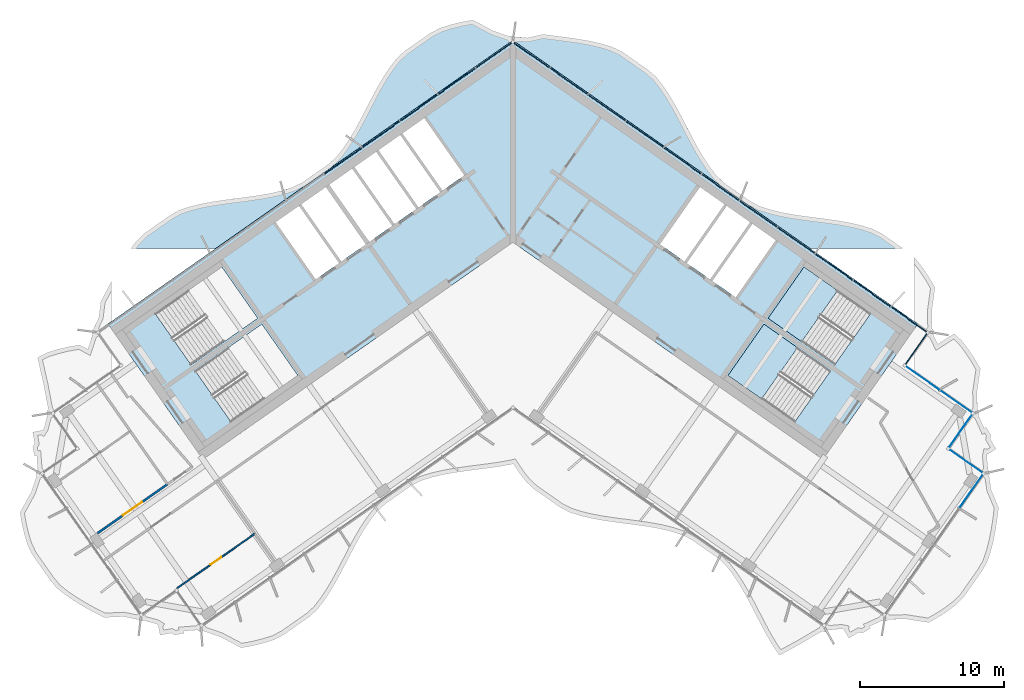
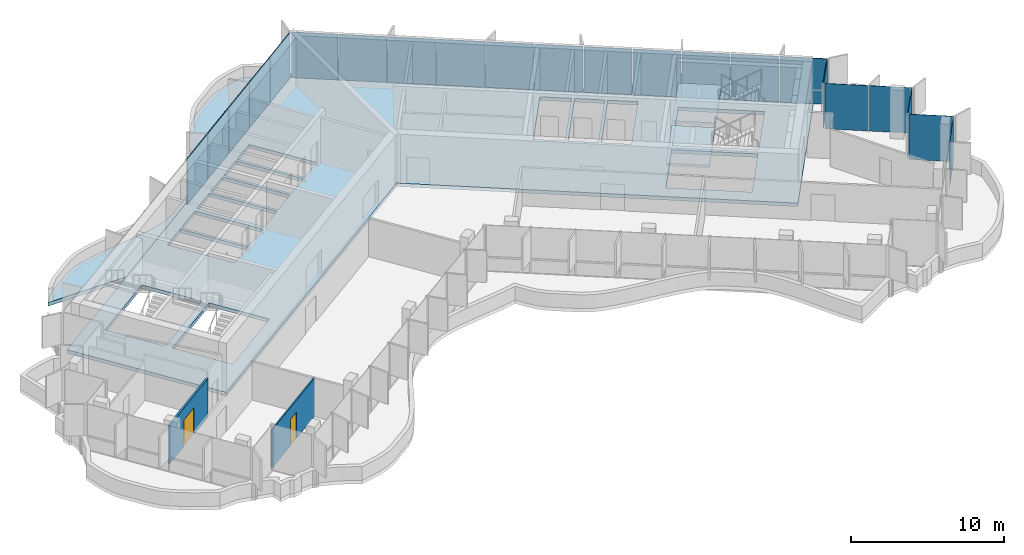
# One storey, part 10 of 19: 22 plates, 4 slabs, 2 doors, 2 walls, 2 openings, 4 elements without a shape of their own.
"""IFC4 building model written with IfcOpenShell, lengths in metres."""

from ifc_helpers import new_model, si_unit, direction, frame, frame_2d, origin, origin_2d, place, context, subcontext, project, spatial, polyline, rectangle, outline, extrude, material, layer, layer_set, type_object, element, fill, aggregate, save


model = new_model("IFC4")

# Units and contexts
model_context = context("Model", 3, precision=1e-05, world=origin(), true_north=direction((0.0, 1.0)))
body_context = subcontext(model_context, "Body", "Model", "MODEL_VIEW")
ifc_project = project(units=[si_unit("LENGTHUNIT", "METRE"), si_unit("AREAUNIT", "SQUARE_METRE"), si_unit("VOLUMEUNIT", "CUBIC_METRE"), si_unit("PLANEANGLEUNIT", "RADIAN"), si_unit("MASSUNIT", "GRAM", prefix="KILO")], contexts=[model_context])

# Site, building, storey
site_placement = place(None, origin())
site = spatial("IfcSite", under=ifc_project, at=site_placement, CompositionType="ELEMENT")
building_placement = place(site_placement, origin())
building = spatial("IfcBuilding", under=site, at=building_placement, Name="Tel Ilan Convention Tower", CompositionType="ELEMENT")
storey_placement = place(building_placement, frame((0.0, 0.0, 241.0)))
storey = spatial("IfcBuildingStorey", under=building, at=storey_placement, Name="L56", CompositionType="ELEMENT", Elevation=241.0)

# Curtain wall, plates
ifc_material_1 = material(Name="Aluminium, bronze anodised", Category="aluminium")
curtain_wall_type_1 = type_object("IfcCurtainWallType", Name="CW2 STICK CURTAIN WALL, SPANDREL PANELS", PredefinedType="NOTDEFINED", material=ifc_material_1)
curtain_wall_1_placement = place(storey_placement, origin())
curtain_wall_1 = element("IfcCurtainWall", 1, at=curtain_wall_1_placement, inside=storey, type_object=curtain_wall_type_1, Name="Curtain wall CW2-43.01", PredefinedType="NOTDEFINED")
ifc_material_2 = material(Name="Aluminium composite panel, bronze anodised", Category="aluminium")
ifc_layer_1 = layer(ifc_material_2, 0.06005859375)
ifc_layer_set_1 = layer_set([ifc_layer_1], Name="CW SPANDREL PANEL 60")
plate_type_1 = type_object("IfcPlateType", Name="CW SPANDREL PANEL 60", PredefinedType="CURTAIN_PANEL", material=ifc_layer_set_1)
plate_1_placement = place(storey_placement, frame((28.033935546875, -8.60546875, 0.0), z_axis=(0.0, 0.0, 1.0), x_axis=(0.573576436351, 0.819152044289, 0.0)))
plate_1 = element("IfcPlate", 2, at=plate_1_placement, type_object=plate_type_1, Name="Spandrel panel", PredefinedType="CURTAIN_PANEL", context=body_context, shape_type="SweptSolid", body=[
    extrude(rectangle(XDim=2.658935546875, YDim=0.06005859375, at=origin_2d()), origin(), (0.0, 0.0, 1.0), 3.6201171875),
])
plate_2_placement = place(storey_placement, frame((27.5400390625, -6.587646484375, 0.0), z_axis=(0.0, 0.0, 1.0), x_axis=(-0.819152044289, 0.573576436351, 0.0)))
plate_2 = element("IfcPlate", 3, at=plate_2_placement, type_object=plate_type_1, Name="Spandrel panel", PredefinedType="CURTAIN_PANEL", context=body_context, shape_type="SweptSolid", body=[
    extrude(rectangle(XDim=3.0439453125, YDim=0.06005859375, at=origin_2d()), origin(), (0.0, 0.0, 1.0), 3.6201171875),
])
plate_3_placement = place(storey_placement, frame((24.95263671875, -4.77587890625, 0.0), z_axis=(0.0, 0.0, 1.0), x_axis=(-0.819152044289, 0.573576436351, 0.0)))
plate_3 = element("IfcPlate", 4, at=plate_3_placement, type_object=plate_type_1, Name="Spandrel panel", PredefinedType="CURTAIN_PANEL", context=body_context, shape_type="SweptSolid", body=[
    extrude(rectangle(XDim=3.15380859375, YDim=0.06005859375, at=origin_2d()), origin(), (0.0, 0.0, 1.0), 3.6201171875),
])
plate_4_placement = place(storey_placement, frame((22.31982421875, -2.9326171875, 0.0), z_axis=(0.0, 0.0, 1.0), x_axis=(-0.819152044289, 0.573576436351, 0.0)))
plate_4 = element("IfcPlate", 5, at=plate_4_placement, type_object=plate_type_1, Name="Spandrel panel", PredefinedType="CURTAIN_PANEL", context=body_context, shape_type="SweptSolid", body=[
    extrude(rectangle(XDim=3.15380859375, YDim=0.06005859375, at=origin_2d()), origin(), (0.0, 0.0, 1.0), 3.6201171875),
])
plate_5_placement = place(storey_placement, frame((19.687255859375, -1.089111328125, 0.0), z_axis=(0.0, 0.0, 1.0), x_axis=(-0.819152044289, 0.573576436351, 0.0)))
plate_5 = element("IfcPlate", 6, at=plate_5_placement, type_object=plate_type_1, Name="Spandrel panel", PredefinedType="CURTAIN_PANEL", context=body_context, shape_type="SweptSolid", body=[
    extrude(rectangle(XDim=3.15380859375, YDim=0.06005859375, at=origin_2d()), origin(), (0.0, 0.0, 1.0), 3.6201171875),
])
plate_6_placement = place(storey_placement, frame((17.0546875, 0.754150390625, 0.0), z_axis=(0.0, 0.0, 1.0), x_axis=(-0.819152044289, 0.573576436351, 0.0)))
plate_6 = element("IfcPlate", 7, at=plate_6_placement, type_object=plate_type_1, Name="Spandrel panel", PredefinedType="CURTAIN_PANEL", context=body_context, shape_type="SweptSolid", body=[
    extrude(rectangle(XDim=3.15380859375, YDim=0.06005859375, at=origin_2d()), origin(), (0.0, 0.0, 1.0), 3.6201171875),
])
plate_7_placement = place(storey_placement, frame((14.422119140625, 2.59765625, 0.0), z_axis=(0.0, 0.0, 1.0), x_axis=(-0.819152044289, 0.573576436351, 0.0)))
plate_7 = element("IfcPlate", 8, at=plate_7_placement, type_object=plate_type_1, Name="Spandrel panel", PredefinedType="CURTAIN_PANEL", context=body_context, shape_type="SweptSolid", body=[
    extrude(rectangle(XDim=3.15380859375, YDim=0.06005859375, at=origin_2d()), origin(), (0.0, 0.0, 1.0), 3.6201171875),
])
plate_8_placement = place(storey_placement, frame((11.789306640625, 4.44091796875, 0.0), z_axis=(0.0, 0.0, 1.0), x_axis=(-0.819152044289, 0.573576436351, 0.0)))
plate_8 = element("IfcPlate", 9, at=plate_8_placement, type_object=plate_type_1, Name="Spandrel panel", PredefinedType="CURTAIN_PANEL", context=body_context, shape_type="SweptSolid", body=[
    extrude(rectangle(XDim=3.15380859375, YDim=0.06005859375, at=origin_2d()), origin(), (0.0, 0.0, 1.0), 3.6201171875),
])
plate_9_placement = place(storey_placement, frame((9.15673828125, 6.284423828125, 0.0), z_axis=(0.0, 0.0, 1.0), x_axis=(-0.819152044289, 0.573576436351, 0.0)))
plate_9 = element("IfcPlate", 10, at=plate_9_placement, type_object=plate_type_1, Name="Spandrel panel", PredefinedType="CURTAIN_PANEL", context=body_context, shape_type="SweptSolid", body=[
    extrude(rectangle(XDim=3.15380859375, YDim=0.06005859375, at=origin_2d()), origin(), (0.0, 0.0, 1.0), 3.6201171875),
])
plate_10_placement = place(storey_placement, frame((6.524169921875, 8.127685546875, 0.0), z_axis=(0.0, 0.0, 1.0), x_axis=(-0.819152044289, 0.573576436351, 0.0)))
plate_10 = element("IfcPlate", 11, at=plate_10_placement, type_object=plate_type_1, Name="Spandrel panel", PredefinedType="CURTAIN_PANEL", context=body_context, shape_type="SweptSolid", body=[
    extrude(rectangle(XDim=3.15380859375, YDim=0.06005859375, at=origin_2d()), origin(), (0.0, 0.0, 1.0), 3.6201171875),
])
plate_11_placement = place(storey_placement, frame((3.8916015625, 9.97119140625, 0.0), z_axis=(0.0, 0.0, 1.0), x_axis=(-0.819152044289, 0.573576436351, 0.0)))
plate_11 = element("IfcPlate", 12, at=plate_11_placement, type_object=plate_type_1, Name="Spandrel panel", PredefinedType="CURTAIN_PANEL", context=body_context, shape_type="SweptSolid", body=[
    extrude(rectangle(XDim=3.15380859375, YDim=0.06005859375, at=origin_2d()), origin(), (0.0, 0.0, 1.0), 3.6201171875),
])
plate_12_placement = place(storey_placement, frame((1.303955078125, 11.782958984375, 0.0), z_axis=(0.0, 0.0, 1.0), x_axis=(-0.819152044289, 0.573576436351, 0.0)))
plate_12 = element("IfcPlate", 13, at=plate_12_placement, type_object=plate_type_1, Name="Spandrel panel", PredefinedType="CURTAIN_PANEL", context=body_context, shape_type="SweptSolid", body=[
    extrude(rectangle(XDim=3.0439453125, YDim=0.06005859375, at=origin_2d()), origin(), (0.0, 0.0, 1.0), 3.6201171875),
])
plate_13_placement = place(storey_placement, frame((-1.303955078125, 11.782958984375, 0.0), z_axis=(0.0, 0.0, 1.0), x_axis=(-0.819152044289, -0.573576436351, 0.0)))
plate_13 = element("IfcPlate", 14, at=plate_13_placement, type_object=plate_type_1, Name="Spandrel panel", PredefinedType="CURTAIN_PANEL", context=body_context, shape_type="SweptSolid", body=[
    extrude(rectangle(XDim=3.0439453125, YDim=0.06005859375, at=origin_2d()), origin(), (0.0, 0.0, 1.0), 3.6201171875),
])
plate_14_placement = place(storey_placement, frame((-3.8916015625, 9.97119140625, 0.0), z_axis=(0.0, 0.0, 1.0), x_axis=(-0.819152044289, -0.573576436351, 0.0)))
plate_14 = element("IfcPlate", 15, at=plate_14_placement, type_object=plate_type_1, Name="Spandrel panel", PredefinedType="CURTAIN_PANEL", context=body_context, shape_type="SweptSolid", body=[
    extrude(rectangle(XDim=3.15380859375, YDim=0.06005859375, at=origin_2d()), origin(), (0.0, 0.0, 1.0), 3.6201171875),
])
plate_15_placement = place(storey_placement, frame((-6.524169921875, 8.127685546875, 0.0), z_axis=(0.0, 0.0, 1.0), x_axis=(-0.819152044289, -0.573576436351, 0.0)))
plate_15 = element("IfcPlate", 16, at=plate_15_placement, type_object=plate_type_1, Name="Spandrel panel", PredefinedType="CURTAIN_PANEL", context=body_context, shape_type="SweptSolid", body=[
    extrude(rectangle(XDim=3.15380859375, YDim=0.06005859375, at=origin_2d()), origin(), (0.0, 0.0, 1.0), 3.6201171875),
])
plate_16_placement = place(storey_placement, frame((-9.15673828125, 6.284423828125, 0.0), z_axis=(0.0, 0.0, 1.0), x_axis=(-0.819152044289, -0.573576436351, 0.0)))
plate_16 = element("IfcPlate", 17, at=plate_16_placement, type_object=plate_type_1, Name="Spandrel panel", PredefinedType="CURTAIN_PANEL", context=body_context, shape_type="SweptSolid", body=[
    extrude(rectangle(XDim=3.15380859375, YDim=0.06005859375, at=origin_2d()), origin(), (0.0, 0.0, 1.0), 3.6201171875),
])
plate_17_placement = place(storey_placement, frame((-11.789306640625, 4.44091796875, 0.0), z_axis=(0.0, 0.0, 1.0), x_axis=(-0.819152044289, -0.573576436351, 0.0)))
plate_17 = element("IfcPlate", 18, at=plate_17_placement, type_object=plate_type_1, Name="Spandrel panel", PredefinedType="CURTAIN_PANEL", context=body_context, shape_type="SweptSolid", body=[
    extrude(rectangle(XDim=3.15380859375, YDim=0.06005859375, at=origin_2d()), origin(), (0.0, 0.0, 1.0), 3.6201171875),
])
aggregate(curtain_wall_1, [plate_1, plate_2, plate_3, plate_4, plate_5, plate_6, plate_7, plate_8, plate_9, plate_10, plate_11, plate_12, plate_13, plate_14, plate_15, plate_16, plate_17])

ifc_material_3 = material(Name="Aluminium, bronze anodised", Category="aluminium")
curtain_wall_type_2 = type_object("IfcCurtainWallType", Name="CW5 STICK CURTAIN WALL, UPPER OFFICE LOW-IRON TINTED GLASS", PredefinedType="NOTDEFINED", material=ifc_material_3)
curtain_wall_2_placement = place(storey_placement, origin())
curtain_wall_2 = element("IfcCurtainWall", 19, at=curtain_wall_2_placement, inside=storey, type_object=curtain_wall_type_2, Name="Curtain wall CW5-43.02", PredefinedType="NOTDEFINED")
ifc_material_4 = material(Name="Glass, low-iron bronze tinted, two-ply", Category="glass")
ifc_layer_2 = layer(ifc_material_4, 0.031982421875)
ifc_layer_set_2 = layer_set([ifc_layer_2], Name="CW UPPER GLASS PANEL 32")
plate_type_2 = type_object("IfcPlateType", Name="CW UPPER GLASS PANEL 32", PredefinedType="CURTAIN_PANEL", material=ifc_layer_set_2)
plate_18_placement = place(storey_placement, frame((31.85693359375, -18.488037109375, 0.0), z_axis=(0.0, 0.0, 1.0), x_axis=(0.573576436351, 0.819152044289, 0.0)))
plate_18 = element("IfcPlate", 20, at=plate_18_placement, type_object=plate_type_2, Name="Glass panel", PredefinedType="CURTAIN_PANEL", context=body_context, shape_type="SweptSolid", body=[
    extrude(rectangle(XDim=2.89599609375, YDim=0.028076171875, at=origin_2d()), origin(), (0.0, 0.0, 1.0), 3.6201171875),
])
plate_19_placement = place(storey_placement, frame((31.504150390625, -16.44384765625, 0.0), z_axis=(0.0, 0.0, 1.0), x_axis=(-0.819152044289, 0.573576436351, 0.0)))
plate_19 = element("IfcPlate", 21, at=plate_19_placement, type_object=plate_type_2, Name="Glass panel", PredefinedType="CURTAIN_PANEL", context=body_context, shape_type="SweptSolid", body=[
    extrude(rectangle(XDim=2.875, YDim=0.028076171875, at=origin_2d()), origin(), (0.0, 0.0, 1.0), 3.6201171875),
])
plate_20_placement = place(storey_placement, frame((31.126220703125, -14.30126953125, 0.0), z_axis=(0.0, 0.0, 1.0), x_axis=(0.573576436351, 0.819152044289, 0.0)))
plate_20 = element("IfcPlate", 22, at=plate_20_placement, type_object=plate_type_2, Name="Glass panel", PredefinedType="CURTAIN_PANEL", context=body_context, shape_type="SweptSolid", body=[
    extrude(rectangle(XDim=2.875, YDim=0.028076171875, at=origin_2d()), origin(), (0.0, 0.0, 1.0), 3.6201171875),
])
plate_21_placement = place(storey_placement, frame((30.8203125, -12.302734375, 0.0), z_axis=(0.0, 0.0, 1.0), x_axis=(-0.819152044289, 0.573576436351, 0.0)))
plate_21 = element("IfcPlate", 23, at=plate_21_placement, type_object=plate_type_2, Name="Glass panel", PredefinedType="CURTAIN_PANEL", context=body_context, shape_type="SweptSolid", body=[
    extrude(rectangle(XDim=2.74609375, YDim=0.028076171875, at=origin_2d()), origin(), (0.0, 0.0, 1.0), 3.6201171875),
])
plate_22_placement = place(storey_placement, frame((28.471435546875, -10.657958984375, 0.0), z_axis=(0.0, 0.0, 1.0), x_axis=(-0.819152044289, 0.573576436351, 0.0)))
plate_22 = element("IfcPlate", 24, at=plate_22_placement, type_object=plate_type_2, Name="Glass panel", PredefinedType="CURTAIN_PANEL", context=body_context, shape_type="SweptSolid", body=[
    extrude(rectangle(XDim=2.868896484375, YDim=0.028076171875, at=origin_2d()), origin(), (0.0, 0.0, 1.0), 3.6201171875),
])
aggregate(curtain_wall_2, [plate_18, plate_19, plate_20, plate_21, plate_22])

# Stair, slab
ifc_material_5 = material(Name="Concrete C40/50", Category="concrete")
stair_type = type_object("IfcStairType", Name="Pressurised Exit Stair 22 risers 177 mm", PredefinedType="HALF_TURN_STAIR", material=ifc_material_5)
stair_1_placement = place(storey_placement, origin())
stair_1 = element("IfcStair", 25, at=stair_1_placement, inside=storey, type_object=stair_type, Name="L56 Pressurised Stair S3", PredefinedType="HALF_TURN_STAIR")
ifc_material_6 = material(Name="Concrete C40/50", Category="concrete")
ifc_layer_3 = layer(ifc_material_6, 0.199951171875)
ifc_layer_set_3 = layer_set([ifc_layer_3], Name="Concrete Stair Landing 200 mm C40/50")
slab_type_1 = type_object("IfcSlabType", Name="Concrete Stair Landing 200 mm", PredefinedType="LANDING", material=ifc_layer_set_3)
slab_1_placement = place(storey_placement, frame((0.0, 0.0, 1.75)))
slab_1 = element("IfcSlab", 26, at=slab_1_placement, type_object=slab_type_1, Name="S3 landing 1", PredefinedType="LANDING", context=body_context, shape_type="SweptSolid", body=[
    extrude(outline(polyline([(22.561767578125, -4.566650390625), (20.226318359375, -2.931640625), (17.7314453125, -6.494873046875), (20.066650390625, -8.130126953125), (22.561767578125, -4.566650390625)])), origin(), (0.0, 0.0, 1.0), 0.199951171875),
])
aggregate(stair_1, [slab_1])

stair_2_placement = place(storey_placement, origin())
stair_2 = element("IfcStair", 27, at=stair_2_placement, inside=storey, type_object=stair_type, Name="L56 Pressurised Stair S4", PredefinedType="HALF_TURN_STAIR")
slab_2_placement = place(storey_placement, frame((0.0, 0.0, 1.75)))
slab_2 = element("IfcSlab", 28, at=slab_2_placement, type_object=slab_type_1, Name="S4 landing 1", PredefinedType="LANDING", context=body_context, shape_type="SweptSolid", body=[
    extrude(outline(polyline([(19.77978515625, -8.53955078125), (17.444580078125, -6.904541015625), (14.949462890625, -10.4677734375), (17.28466796875, -12.10302734375), (19.77978515625, -8.53955078125)])), origin(), (0.0, 0.0, 1.0), 0.199951171875),
])
aggregate(stair_2, [slab_2])

# Slabs
ifc_material_7 = material(Name="Concrete C40/50", Category="concrete")
ifc_layer_4 = layer(ifc_material_7, 0.280029296875)
ifc_layer_set_4 = layer_set([ifc_layer_4], Name="Core Floor Slab 280 mm C40/50")
slab_type_2 = type_object("IfcSlabType", Name="Core Floor Slab 280 mm C40/50", PredefinedType="FLOOR", material=ifc_layer_set_4)
slab_3_placement = place(storey_placement, frame((0.0, 0.0, -0.280029296875)))
element("IfcSlab", 29, at=slab_3_placement, inside=storey, type_object=slab_type_2, Name="L56 core floor 1", PredefinedType="FLOOR", context=body_context, shape_type="SweptSolid", body=[
    extrude(outline(polyline([(-28.1396484375, -6.885498046875), (0.0, 12.818115234375), (28.1396484375, -6.885498046875), (21.54345703125, -16.3056640625), (0.0, -1.220703125), (-21.54345703125, -16.3056640625), (-28.1396484375, -6.885498046875)]), holes=[polyline([(-17.444580078125, -6.904541015625), (-22.072021484375, -10.144775390625), (-19.5771484375, -13.7080078125), (-14.949462890625, -10.4677734375), (-17.444580078125, -6.904541015625)]), polyline([(-17.7314453125, -6.494873046875), (-20.226318359375, -2.931640625), (-24.85400390625, -6.171875), (-22.35888671875, -9.735107421875), (-17.7314453125, -6.494873046875)]), polyline([(-14.864990234375, 1.310791015625), (-16.48291015625, 0.177978515625), (-13.701171875, -3.794921875), (-12.083251953125, -2.662109375), (-14.864990234375, 1.310791015625)]), polyline([(-14.701416015625, 1.425537109375), (-11.91943359375, -2.54736328125), (-10.2197265625, -1.357421875), (-13.001708984375, 2.615478515625), (-14.701416015625, 1.425537109375)]), polyline([(-11.168701171875, 3.89892578125), (-12.755859375, 2.78759765625), (-9.97412109375, -1.185302734375), (-8.386962890625, -0.073974609375), (-11.168701171875, 3.89892578125)]), polyline([(-9.499755859375, 5.067626953125), (-11.0048828125, 4.013671875), (-8.222900390625, 0.040771484375), (-6.718017578125, 1.0947265625), (-9.499755859375, 5.067626953125)]), polyline([(-9.3359375, 5.182373046875), (-6.553955078125, 1.20947265625), (-5.048828125, 2.263427734375), (-7.830810546875, 6.236328125), (-9.3359375, 5.182373046875)]), polyline([(17.444580078125, -6.904541015625), (14.949462890625, -10.4677734375), (19.5771484375, -13.7080078125), (22.072021484375, -10.144775390625), (17.444580078125, -6.904541015625)]), polyline([(20.226318359375, -2.931640625), (17.7314453125, -6.494873046875), (22.35888671875, -9.735107421875), (24.85400390625, -6.171875), (20.226318359375, -2.931640625)]), polyline([(15.48291015625, -5.04248046875), (18.2646484375, -1.069580078125), (16.646728515625, 0.063232421875), (13.864990234375, -3.90966796875), (15.48291015625, -5.04248046875)]), polyline([(13.701171875, -3.794921875), (16.48291015625, 0.177978515625), (14.864990234375, 1.310791015625), (12.083251953125, -2.662109375), (13.701171875, -3.794921875)]), polyline([(11.91943359375, -2.54736328125), (14.701416015625, 1.425537109375), (13.001708984375, 2.615478515625), (10.2197265625, -1.357421875), (11.91943359375, -2.54736328125)]), polyline([(-6.16162109375, 7.405029296875), (-7.666748046875, 6.35107421875), (-4.885009765625, 2.378173828125), (-3.3798828125, 3.43212890625), (-6.16162109375, 7.405029296875)])]), origin(), (0.0, 0.0, 1.0), 0.280029296875),
])
ifc_material_8 = material(Name="Concrete C40/50", Category="concrete")
ifc_layer_5 = layer(ifc_material_8, 0.280029296875)
ifc_layer_set_5 = layer_set([ifc_layer_5], Name="Edge Ledge Slab 280 mm C40/50")
slab_type_3 = type_object("IfcSlabType", Name="Edge Ledge Slab 280 mm C40/50", PredefinedType="FLOOR", material=ifc_layer_set_5)
slab_4_placement = place(storey_placement, frame((0.0, 0.0, -0.280029296875)))
element("IfcSlab", 30, at=slab_4_placement, inside=storey, type_object=slab_type_3, Name="L56 edge ledge 2", PredefinedType="FLOOR", context=body_context, shape_type="SweptSolid", body=[
    extrude(outline(polyline([(-23.1982421875, 1.006591796875), (-22.4697265625, 1.250244140625), (-21.705322265625, 1.44287109375), (-20.91259765625, 1.594482421875), (-20.099365234375, 1.71728515625), (-19.275146484375, 1.824462890625), (-18.44970703125, 1.9296875), (-17.6328125, 2.047119140625), (-16.833984375, 2.18994140625), (-16.0615234375, 2.37109375), (-15.3232421875, 2.6005859375), (-14.651611328125, 2.92529296875), (-12.841552734375, 4.192626953125), (-12.284912109375, 4.681640625), (-11.809326171875, 5.28662109375), (-11.369140625, 5.94189453125), (-10.956787109375, 6.63720703125), (-10.564453125, 7.36083984375), (-10.182373046875, 8.09912109375), (-9.80078125, 8.83837890625), (-9.410400390625, 9.564697265625), (-9.001220703125, 10.264404296875), (-8.56494140625, 10.925537109375), (-8.094482421875, 11.53759765625), (-7.552001953125, 12.047119140625), (-5.7421875, 13.314208984375), (-5.0849609375, 13.66015625), (-4.3515625, 13.896484375), (-3.5830078125, 14.083251953125), (-2.785888671875, 14.228515625), (-1.357666015625, 13.472900390625), (-0.172119140625, 13.06396484375), (-0.168701171875, 13.05908203125), (-0.11474609375, 13.09521484375), (0.0, 13.1181640625), (0.11474609375, 13.09521484375), (0.168701171875, 13.05908203125), (0.172119140625, 13.06396484375), (1.02001953125, 12.99072265625), (2.08935546875, 13.234130859375), (2.913818359375, 13.12744140625), (3.739501953125, 13.0224609375), (4.55712890625, 12.90625), (5.357666015625, 12.765380859375), (6.132080078125, 12.587158203125), (6.872802734375, 12.361083984375), (7.552001953125, 12.047119140625), (9.36181640625, 10.77978515625), (9.925537109375, 10.300537109375), (10.403564453125, 9.69921875), (10.845947265625, 9.046875), (11.259521484375, 8.353515625), (11.653076171875, 7.631591796875), (12.035400390625, 6.893798828125), (12.416748046875, 6.154052734375), (12.806396484375, 5.426513671875), (13.214111328125, 4.724609375), (13.648193359375, 4.060791015625), (14.116455078125, 3.4453125), (14.651611328125, 2.92529296875), (15.2548828125, 2.502685546875), (16.46142578125, 1.657958984375), (17.111328125, 1.30224609375), (17.84228515625, 1.062255859375), (18.60888671875, 0.87255859375), (19.4033203125, 0.72314453125), (20.21728515625, 0.601806640625), (21.0419921875, 0.495361328125), (21.8671875, 0.3896484375), (22.68310546875, 0.27099609375), (23.480712890625, 0.1259765625), (24.2509765625, -0.057861328125), (24.987060546875, -0.290771484375), (25.6513671875, -0.626220703125), (27.087158203125, -1.631591796875), (20.63623046875, -1.631591796875), (0.0, 12.818115234375), (-20.63623046875, -1.631591796875), (-26.535888671875, -1.631591796875), (-26.1787109375, -1.156982421875), (-25.6513671875, -0.626220703125), (-23.84130859375, 0.64111328125), (-23.1982421875, 1.006591796875)])), origin(), (0.0, 0.0, 1.0), 0.280029296875),
])

# Wall, opening, door
ifc_material_9 = material(Name="Plasterboard on Steel Studs", Category="steel")
ifc_layer_6 = layer(ifc_material_9, 0.14990234375)
ifc_layer_set_6 = layer_set([ifc_layer_6], Name="Fire-rated Partition 150 EI 60")
wall_type_1 = type_object("IfcWallType", Name="Fire-rated Partition 150 EI 60", PredefinedType="PARTITIONING", material=ifc_layer_set_6)
wall_1_placement = place(storey_placement, frame((-28.858154296875, -21.428466796875, 0.0), z_axis=(0.0, 0.0, 1.0), x_axis=(0.819137166599, 0.573597683308, 0.0)))
wall_1 = element("IfcWall", 31, at=wall_1_placement, inside=storey, type_object=wall_type_1, Name="Partition 004", PredefinedType="PARTITIONING", context=body_context, shape_type="SweptSolid", body=[
    extrude(rectangle(XDim=5.93212890625, YDim=0.14990234375, at=frame_2d((2.966064453125, 0.0))), origin(), (0.0, 0.0, 1.0), 3.050048828125),
])
opening_1_placement = place(wall_1_placement, frame((2.166015625, 0.0, 0.0)))
opening_1 = element("IfcOpeningElement", 32, at=opening_1_placement, cuts=wall_1, Name="Opening L56-005", PredefinedType="OPENING", context=body_context, shape_type="SweptSolid", body=[
    extrude(rectangle(XDim=1.60009765625, YDim=2.10009765625, at=frame_2d((0.800048828125, 1.050048828125))), frame((0.0, 0.0849609375, 0.0), z_axis=(0.0, -1.0, 0.0), x_axis=(1.0, 0.0, 0.0)), (0.0, 0.0, 1.0), 0.169921875),
])
ifc_material_10 = material(Name="Timber Door Leaf in Steel Frame", Category="steel")
door_type_1 = type_object("IfcDoorType", Name="Tenant Suite Entrance Fire Door 1600x2100", OperationType="NOTDEFINED", PredefinedType="DOOR", material=ifc_material_10)
door_1_placement = place(opening_1_placement, origin())
door_1 = element("IfcDoor", 33, at=door_1_placement, inside=storey, type_object=door_type_1, Name="Door L56-005", OperationType="DOUBLE_DOOR_SINGLE_SWING", OverallHeight=2.10009765625, OverallWidth=1.60009765625, PredefinedType="DOOR", context=body_context, shape_type="SweptSolid", body=[
    extrude(rectangle(XDim=1.60009765625, YDim=2.10009765625, at=frame_2d((0.800048828125, 1.050048828125))), frame((0.0, 0.02490234375, 0.0), z_axis=(0.0, -1.0, 0.0), x_axis=(1.0, 0.0, 0.0)), (0.0, 0.0, 1.0), 0.050048828125),
])
fill(opening_1, door_1)

ifc_material_11 = material(Name="Plasterboard on Steel Studs", Category="steel")
ifc_layer_7 = layer(ifc_material_11, 0.10009765625)
ifc_layer_set_7 = layer_set([ifc_layer_7], Name="Plasterboard Partition 100")
wall_type_2 = type_object("IfcWallType", Name="Plasterboard Partition 100", PredefinedType="PARTITIONING", material=ifc_layer_set_7)
wall_2_placement = place(storey_placement, frame((-17.929443359375, -21.46728515625, 0.0), z_axis=(0.0, 0.0, 1.0), x_axis=(-0.819158922237, -0.573566613498, 0.0)))
wall_2 = element("IfcWall", 34, at=wall_2_placement, inside=storey, type_object=wall_type_2, Name="Partition 021", PredefinedType="PARTITIONING", context=body_context, shape_type="SweptSolid", body=[
    extrude(rectangle(XDim=6.599853515625, YDim=0.10009765625, at=frame_2d((3.2998046875, 0.0))), origin(), (0.0, 0.0, 1.0), 3.050048828125),
])
opening_2_placement = place(wall_2_placement, frame((2.85009765625, 0.0, 0.0)))
opening_2 = element("IfcOpeningElement", 35, at=opening_2_placement, cuts=wall_2, Name="Opening L56-003", PredefinedType="OPENING", context=body_context, shape_type="SweptSolid", body=[
    extrude(rectangle(XDim=0.89990234375, YDim=2.10009765625, at=frame_2d((0.449951171875, 1.050048828125))), frame((0.0, 0.06005859375, 0.0), z_axis=(0.0, -1.0, 0.0), x_axis=(1.0, 0.0, 0.0)), (0.0, 0.0, 1.0), 0.1201171875),
])
ifc_material_12 = material(Name="Timber Door Leaf in Steel Frame", Category="steel")
door_type_2 = type_object("IfcDoorType", Name="Room Timber Door 900x2100", OperationType="NOTDEFINED", PredefinedType="DOOR", material=ifc_material_12)
door_2_placement = place(opening_2_placement, origin())
door_2 = element("IfcDoor", 36, at=door_2_placement, inside=storey, type_object=door_type_2, Name="Door L56-003", OperationType="SINGLE_SWING_RIGHT", OverallHeight=2.10009765625, OverallWidth=0.89990234375, PredefinedType="DOOR", context=body_context, shape_type="SweptSolid", body=[
    extrude(rectangle(XDim=0.89990234375, YDim=2.10009765625, at=frame_2d((0.449951171875, 1.050048828125))), frame((0.0, 0.02490234375, 0.0), z_axis=(0.0, -1.0, 0.0), x_axis=(1.0, 0.0, 0.0)), (0.0, 0.0, 1.0), 0.050048828125),
])
fill(opening_2, door_2)

save(model, "model.ifc")
